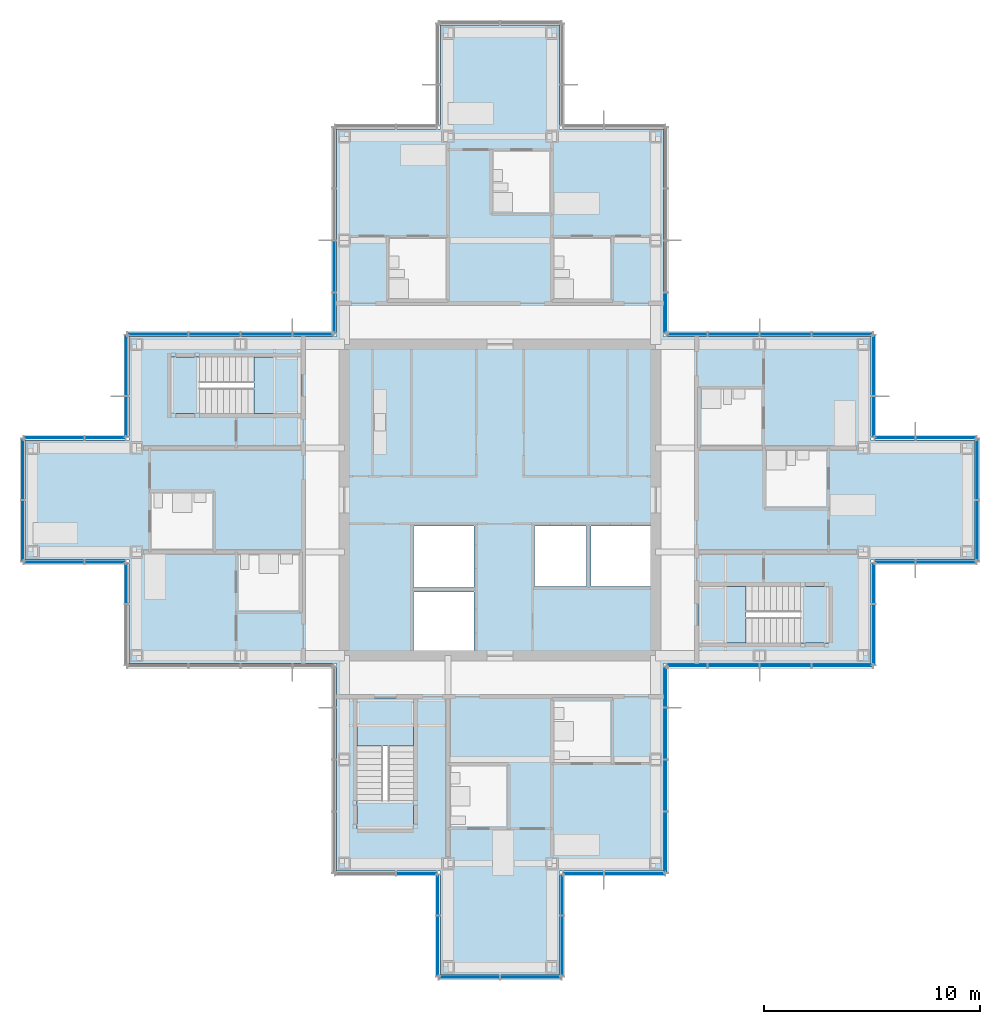
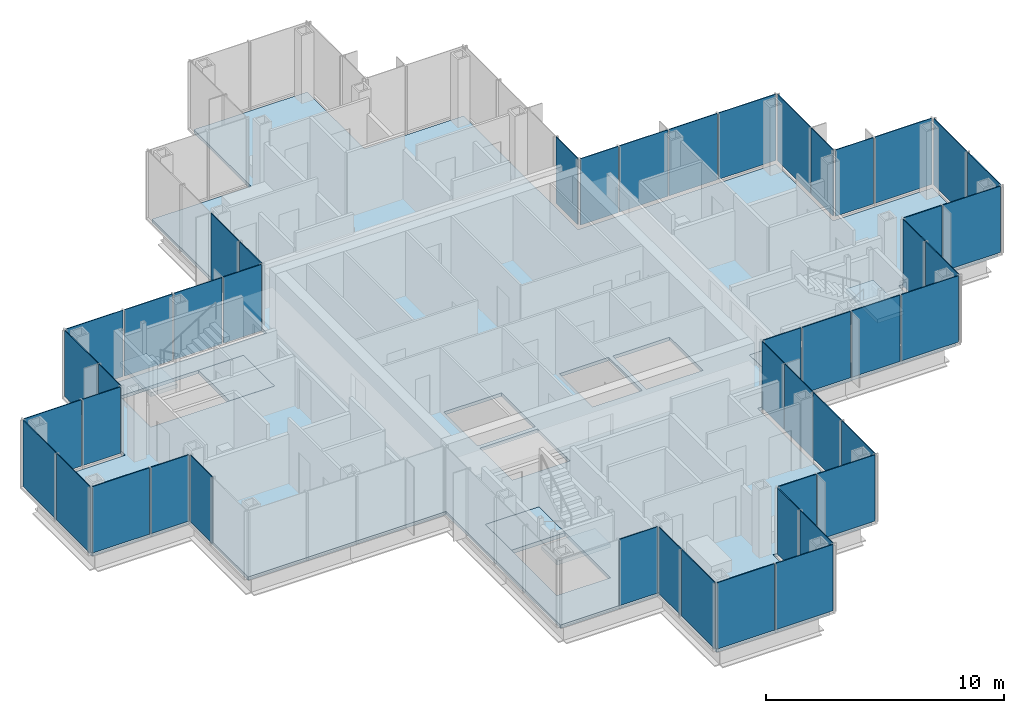
# One storey, part 10 of 17: 47 plates, 7 slabs, 24 elements without a shape of their own.
"""IFC4 building model written with IfcOpenShell, lengths in metres."""

from ifc_helpers import new_model, si_unit, direction, frame, origin, origin_2d, place, context, subcontext, project, spatial, polyline, rectangle, outline, extrude, material, layer, layer_set, type_object, element, aggregate, save


model = new_model("IFC4")

# Units and contexts
model_context = context("Model", 3, precision=1e-05, world=origin(), true_north=direction((0.0, 1.0)))
body_context = subcontext(model_context, "Body", "Model", "MODEL_VIEW")
ifc_project = project(units=[si_unit("LENGTHUNIT", "METRE"), si_unit("AREAUNIT", "SQUARE_METRE"), si_unit("VOLUMEUNIT", "CUBIC_METRE"), si_unit("PLANEANGLEUNIT", "RADIAN"), si_unit("MASSUNIT", "GRAM", prefix="KILO")], contexts=[model_context])

# Site, building, storey
site_placement = place(None, origin())
site = spatial("IfcSite", under=ifc_project, at=site_placement, CompositionType="ELEMENT")
building_placement = place(site_placement, origin())
building = spatial("IfcBuilding", under=site, at=building_placement, Name="Kvirike Care Tower", CompositionType="ELEMENT")
storey_placement = place(building_placement, frame((0.0, 0.0, 179.5)))
storey = spatial("IfcBuildingStorey", under=building, at=storey_placement, Name="L49", CompositionType="ELEMENT", Elevation=179.5)

# Slab
ifc_material_1 = material(Name="Concrete C35/45", Category="concrete")
ifc_layer_1 = layer(ifc_material_1, 0.169921875)
ifc_layer_set_1 = layer_set([ifc_layer_1], Name="FLOOR SLAB 170")
slab_type_1 = type_object("IfcSlabType", Name="FLOOR SLAB 170", PredefinedType="FLOOR", material=ifc_layer_set_1)
slab_1_placement = place(storey_placement, frame((0.0, 0.0, -0.169921875)))
element("IfcSlab", 1, at=slab_1_placement, inside=storey, type_object=slab_type_1, Name="Floor slab L49", PredefinedType="FLOOR", context=body_context, shape_type="SweptSolid", body=[
    extrude(outline(polyline([(29.14990234375, 28.449951171875), (38.75, 28.449951171875), (38.75, 33.25), (43.550048828125, 33.25), (43.550048828125, 38.75), (38.75, 38.75), (38.75, 43.550048828125), (29.14990234375, 43.550048828125), (29.14990234375, 53.14990234375), (24.35009765625, 53.14990234375), (24.35009765625, 57.949951171875), (18.85009765625, 57.949951171875), (18.85009765625, 53.14990234375), (14.050048828125, 53.14990234375), (14.050048828125, 43.550048828125), (4.449951171875, 43.550048828125), (4.449951171875, 38.75), (-0.35009765625, 38.75), (-0.35009765625, 33.25), (4.449951171875, 33.25), (4.449951171875, 28.449951171875), (14.050048828125, 28.449951171875), (14.050048828125, 18.85009765625), (18.85009765625, 18.85009765625), (18.85009765625, 14.050048828125), (24.35009765625, 14.050048828125), (24.35009765625, 18.85009765625), (29.14990234375, 18.85009765625), (29.14990234375, 28.449951171875)]), holes=[polyline([(17.60009765625, 29.050048828125), (17.60009765625, 31.75), (20.39990234375, 31.75), (20.39990234375, 29.050048828125), (17.60009765625, 29.050048828125)]), polyline([(17.60009765625, 31.949951171875), (17.60009765625, 34.800048828125), (20.39990234375, 34.800048828125), (20.39990234375, 31.949951171875), (17.60009765625, 31.949951171875)]), polyline([(23.199951171875, 32.0), (23.199951171875, 34.800048828125), (25.60009765625, 34.800048828125), (25.60009765625, 32.0), (23.199951171875, 32.0)]), polyline([(25.800048828125, 32.0), (25.800048828125, 34.800048828125), (28.550048828125, 34.800048828125), (28.550048828125, 32.0), (25.800048828125, 32.0)]), polyline([(12.39990234375, 42.60009765625), (12.39990234375, 40.0), (6.39990234375, 40.0), (6.39990234375, 42.60009765625), (12.39990234375, 42.60009765625)]), polyline([(30.800048828125, 29.39990234375), (30.800048828125, 32.0), (36.800048828125, 32.0), (36.800048828125, 29.39990234375), (30.800048828125, 29.39990234375)]), polyline([(15.0, 26.800048828125), (17.60009765625, 26.800048828125), (17.60009765625, 20.800048828125), (15.0, 20.800048828125), (15.0, 26.800048828125)])]), origin(), (0.0, 0.0, 1.0), 0.169921875),
])

# Stair, slabs
ifc_material_2 = material(Name="Concrete C35/45", Category="concrete")
stair_type = type_object("IfcStairType", Name="STAIR 20 RISERS", PredefinedType="HALF_TURN_STAIR", material=ifc_material_2)
stair_1_placement = place(storey_placement, origin())
stair_1 = element("IfcStair", 2, at=stair_1_placement, inside=storey, type_object=stair_type, Name="Stair 1 L49", PredefinedType="HALF_TURN_STAIR")
ifc_material_3 = material(Name="Concrete C35/45", Category="concrete")
ifc_layer_2 = layer(ifc_material_3, 0.199951171875)
ifc_layer_set_2 = layer_set([ifc_layer_2], Name="STAIR LANDING 200")
slab_type_2 = type_object("IfcSlabType", Name="STAIR LANDING 200", PredefinedType="LANDING", material=ifc_layer_set_2)
slab_2_placement = place(storey_placement, frame((0.0, 0.0, -0.199951171875)))
slab_2 = element("IfcSlab", 3, at=slab_2_placement, type_object=slab_type_2, Name="Stair S1 floor landing L49", PredefinedType="LANDING", context=body_context, shape_type="SweptSolid", body=[
    extrude(outline(polyline([(10.219970703125, 42.60009765625), (10.219970703125, 40.0), (12.39990234375, 40.0), (12.39990234375, 42.60009765625), (10.219970703125, 42.60009765625)])), origin(), (0.0, 0.0, 1.0), 0.199951171875),
])
slab_3_placement = place(storey_placement, frame((0.0, 0.0, 1.550048828125)))
slab_3 = element("IfcSlab", 4, at=slab_3_placement, type_object=slab_type_2, Name="Stair S1 half landing L49-L50", PredefinedType="LANDING", context=body_context, shape_type="SweptSolid", body=[
    extrude(outline(polyline([(6.39990234375, 42.60009765625), (6.39990234375, 40.0), (7.699951171875, 40.0), (7.699951171875, 42.60009765625), (6.39990234375, 42.60009765625)])), origin(), (0.0, 0.0, 1.0), 0.199951171875),
])
aggregate(stair_1, [slab_2, slab_3])

stair_2_placement = place(storey_placement, origin())
stair_2 = element("IfcStair", 5, at=stair_2_placement, inside=storey, type_object=stair_type, Name="Stair 2 L49", PredefinedType="HALF_TURN_STAIR")
slab_4_placement = place(storey_placement, frame((0.0, 0.0, -0.199951171875)))
slab_4 = element("IfcSlab", 6, at=slab_4_placement, type_object=slab_type_2, Name="Stair S2 floor landing L49", PredefinedType="LANDING", context=body_context, shape_type="SweptSolid", body=[
    extrude(outline(polyline([(32.97998046875, 29.39990234375), (32.97998046875, 32.0), (30.800048828125, 32.0), (30.800048828125, 29.39990234375), (32.97998046875, 29.39990234375)])), origin(), (0.0, 0.0, 1.0), 0.199951171875),
])
slab_5_placement = place(storey_placement, frame((0.0, 0.0, 1.550048828125)))
slab_5 = element("IfcSlab", 7, at=slab_5_placement, type_object=slab_type_2, Name="Stair S2 half landing L49-L50", PredefinedType="LANDING", context=body_context, shape_type="SweptSolid", body=[
    extrude(outline(polyline([(36.800048828125, 29.39990234375), (36.800048828125, 32.0), (35.5, 32.0), (35.5, 29.39990234375), (36.800048828125, 29.39990234375)])), origin(), (0.0, 0.0, 1.0), 0.199951171875),
])
aggregate(stair_2, [slab_4, slab_5])

stair_3_placement = place(storey_placement, origin())
stair_3 = element("IfcStair", 8, at=stair_3_placement, inside=storey, type_object=stair_type, Name="Stair 5 L49", PredefinedType="HALF_TURN_STAIR")
slab_6_placement = place(storey_placement, frame((0.0, 0.0, -0.199951171875)))
slab_6 = element("IfcSlab", 9, at=slab_6_placement, type_object=slab_type_2, Name="Stair S5 floor landing L49", PredefinedType="LANDING", context=body_context, shape_type="SweptSolid", body=[
    extrude(outline(polyline([(15.0, 24.6201171875), (17.60009765625, 24.6201171875), (17.60009765625, 26.800048828125), (15.0, 26.800048828125), (15.0, 24.6201171875)])), origin(), (0.0, 0.0, 1.0), 0.199951171875),
])
slab_7_placement = place(storey_placement, frame((0.0, 0.0, 1.550048828125)))
slab_7 = element("IfcSlab", 10, at=slab_7_placement, type_object=slab_type_2, Name="Stair S5 half landing L49-L50", PredefinedType="LANDING", context=body_context, shape_type="SweptSolid", body=[
    extrude(outline(polyline([(15.0, 20.800048828125), (17.60009765625, 20.800048828125), (17.60009765625, 22.10009765625), (15.0, 22.10009765625), (15.0, 20.800048828125)])), origin(), (0.0, 0.0, 1.0), 0.199951171875),
])
aggregate(stair_3, [slab_6, slab_7])

# Curtain wall, plates
ifc_material_4 = material(Name="Anodised aluminium stick system", Category="aluminium")
curtain_wall_type = type_object("IfcCurtainWallType", Name="CW-C STICK CURTAIN WALL", PredefinedType="NOTDEFINED", material=ifc_material_4)
curtain_wall_1_placement = place(storey_placement, origin())
curtain_wall_1 = element("IfcCurtainWall", 11, at=curtain_wall_1_placement, inside=storey, type_object=curtain_wall_type, Name="Curtain wall L49 face 1", PredefinedType="NOTDEFINED")
ifc_material_5 = material(Name="Tinted double glazed unit", Category="glass")
ifc_layer_3 = layer(ifc_material_5, 0.0400390625)
ifc_layer_set_3 = layer_set([ifc_layer_3], Name="TINTED VISION PANEL 40")
plate_type = type_object("IfcPlateType", Name="TINTED VISION PANEL 40", PredefinedType="CURTAIN_PANEL", material=ifc_layer_set_3)
plate_1_placement = place(storey_placement, frame((30.251220703125, 28.330078125, 0.10009765625), z_axis=(0.0, 0.0, 1.0), x_axis=(1.0, 0.0, 0.0)))
plate_1 = element("IfcPlate", 12, at=plate_1_placement, type_object=plate_type, Name="CW-C panel L49 face 1.1", PredefinedType="CURTAIN_PANEL", context=body_context, shape_type="SweptSolid", body=[
    extrude(rectangle(XDim=1.83251953125, YDim=0.0400390625, at=origin_2d()), origin(), (0.0, 0.0, 1.0), 3.39990234375),
])
plate_2_placement = place(storey_placement, frame((32.39990234375, 28.330078125, 0.10009765625), z_axis=(0.0, 0.0, 1.0), x_axis=(1.0, 0.0, 0.0)))
plate_2 = element("IfcPlate", 13, at=plate_2_placement, type_object=plate_type, Name="CW-C panel L49 face 1.2", PredefinedType="CURTAIN_PANEL", context=body_context, shape_type="SweptSolid", body=[
    extrude(rectangle(XDim=2.3349609375, YDim=0.0400390625, at=origin_2d()), origin(), (0.0, 0.0, 1.0), 3.39990234375),
])
plate_3_placement = place(storey_placement, frame((34.800048828125, 28.330078125, 0.10009765625), z_axis=(0.0, 0.0, 1.0), x_axis=(1.0, 0.0, 0.0)))
plate_3 = element("IfcPlate", 14, at=plate_3_placement, type_object=plate_type, Name="CW-C panel L49 face 1.3", PredefinedType="CURTAIN_PANEL", context=body_context, shape_type="SweptSolid", body=[
    extrude(rectangle(XDim=2.3349609375, YDim=0.0400390625, at=origin_2d()), origin(), (0.0, 0.0, 1.0), 3.39990234375),
])
plate_4_placement = place(storey_placement, frame((37.418701171875, 28.330078125, 0.10009765625), z_axis=(0.0, 0.0, 1.0), x_axis=(1.0, 0.0, 0.0)))
plate_4 = element("IfcPlate", 15, at=plate_4_placement, type_object=plate_type, Name="CW-C panel L49 face 1.4", PredefinedType="CURTAIN_PANEL", context=body_context, shape_type="SweptSolid", body=[
    extrude(rectangle(XDim=2.7724609375, YDim=0.0400390625, at=origin_2d()), origin(), (0.0, 0.0, 1.0), 3.39990234375),
])
aggregate(curtain_wall_1, [plate_1, plate_2, plate_3, plate_4])

curtain_wall_2_placement = place(storey_placement, origin())
curtain_wall_2 = element("IfcCurtainWall", 16, at=curtain_wall_2_placement, inside=storey, type_object=curtain_wall_type, Name="Curtain wall L49 face 2", PredefinedType="NOTDEFINED")
plate_5_placement = place(storey_placement, frame((38.8701171875, 29.78125, 0.10009765625), z_axis=(0.0, 0.0, 1.0), x_axis=(0.0, 1.0, 0.0)))
plate_5 = element("IfcPlate", 17, at=plate_5_placement, type_object=plate_type, Name="CW-C panel L49 face 2.1", PredefinedType="CURTAIN_PANEL", context=body_context, shape_type="SweptSolid", body=[
    extrude(rectangle(XDim=2.7724609375, YDim=0.0400390625, at=origin_2d()), origin(), (0.0, 0.0, 1.0), 3.39990234375),
])
plate_6_placement = place(storey_placement, frame((38.8701171875, 32.148681640625, 0.10009765625), z_axis=(0.0, 0.0, 1.0), x_axis=(0.0, 1.0, 0.0)))
plate_6 = element("IfcPlate", 18, at=plate_6_placement, type_object=plate_type, Name="CW-C panel L49 face 2.2", PredefinedType="CURTAIN_PANEL", context=body_context, shape_type="SweptSolid", body=[
    extrude(rectangle(XDim=1.83251953125, YDim=0.0400390625, at=origin_2d()), origin(), (0.0, 0.0, 1.0), 3.39990234375),
])
aggregate(curtain_wall_2, [plate_5, plate_6])

curtain_wall_3_placement = place(storey_placement, origin())
curtain_wall_3 = element("IfcCurtainWall", 19, at=curtain_wall_3_placement, inside=storey, type_object=curtain_wall_type, Name="Curtain wall L49 face 3", PredefinedType="NOTDEFINED")
plate_7_placement = place(storey_placement, frame((39.851318359375, 33.1298828125, 0.10009765625), z_axis=(0.0, 0.0, 1.0), x_axis=(1.0, 0.0, 0.0)))
plate_7 = element("IfcPlate", 20, at=plate_7_placement, type_object=plate_type, Name="CW-C panel L49 face 3.1", PredefinedType="CURTAIN_PANEL", context=body_context, shape_type="SweptSolid", body=[
    extrude(rectangle(XDim=1.83251953125, YDim=0.0400390625, at=origin_2d()), origin(), (0.0, 0.0, 1.0), 3.39990234375),
])
plate_8_placement = place(storey_placement, frame((42.21875, 33.1298828125, 0.10009765625), z_axis=(0.0, 0.0, 1.0), x_axis=(1.0, 0.0, 0.0)))
plate_8 = element("IfcPlate", 21, at=plate_8_placement, type_object=plate_type, Name="CW-C panel L49 face 3.2", PredefinedType="CURTAIN_PANEL", context=body_context, shape_type="SweptSolid", body=[
    extrude(rectangle(XDim=2.7724609375, YDim=0.0400390625, at=origin_2d()), origin(), (0.0, 0.0, 1.0), 3.39990234375),
])
aggregate(curtain_wall_3, [plate_7, plate_8])

curtain_wall_4_placement = place(storey_placement, origin())
curtain_wall_4 = element("IfcCurtainWall", 22, at=curtain_wall_4_placement, inside=storey, type_object=curtain_wall_type, Name="Curtain wall L49 face 4", PredefinedType="NOTDEFINED")
plate_9_placement = place(storey_placement, frame((43.669921875, 34.581298828125, 0.10009765625), z_axis=(0.0, 0.0, 1.0), x_axis=(0.0, 1.0, 0.0)))
plate_9 = element("IfcPlate", 23, at=plate_9_placement, type_object=plate_type, Name="CW-C panel L49 face 4.1", PredefinedType="CURTAIN_PANEL", context=body_context, shape_type="SweptSolid", body=[
    extrude(rectangle(XDim=2.7724609375, YDim=0.0400390625, at=origin_2d()), origin(), (0.0, 0.0, 1.0), 3.39990234375),
])
plate_10_placement = place(storey_placement, frame((43.669921875, 37.418701171875, 0.10009765625), z_axis=(0.0, 0.0, 1.0), x_axis=(0.0, 1.0, 0.0)))
plate_10 = element("IfcPlate", 24, at=plate_10_placement, type_object=plate_type, Name="CW-C panel L49 face 4.2", PredefinedType="CURTAIN_PANEL", context=body_context, shape_type="SweptSolid", body=[
    extrude(rectangle(XDim=2.7724609375, YDim=0.0400390625, at=origin_2d()), origin(), (0.0, 0.0, 1.0), 3.39990234375),
])
aggregate(curtain_wall_4, [plate_9, plate_10])

curtain_wall_5_placement = place(storey_placement, origin())
curtain_wall_5 = element("IfcCurtainWall", 25, at=curtain_wall_5_placement, inside=storey, type_object=curtain_wall_type, Name="Curtain wall L49 face 5", PredefinedType="NOTDEFINED")
plate_11_placement = place(storey_placement, frame((42.21875, 38.8701171875, 0.10009765625), z_axis=(0.0, 0.0, 1.0), x_axis=(-1.0, 0.0, 0.0)))
plate_11 = element("IfcPlate", 26, at=plate_11_placement, type_object=plate_type, Name="CW-C panel L49 face 5.1", PredefinedType="CURTAIN_PANEL", context=body_context, shape_type="SweptSolid", body=[
    extrude(rectangle(XDim=2.7724609375, YDim=0.0400390625, at=origin_2d()), origin(), (0.0, 0.0, 1.0), 3.39990234375),
])
plate_12_placement = place(storey_placement, frame((39.851318359375, 38.8701171875, 0.10009765625), z_axis=(0.0, 0.0, 1.0), x_axis=(-1.0, 0.0, 0.0)))
plate_12 = element("IfcPlate", 27, at=plate_12_placement, type_object=plate_type, Name="CW-C panel L49 face 5.2", PredefinedType="CURTAIN_PANEL", context=body_context, shape_type="SweptSolid", body=[
    extrude(rectangle(XDim=1.83251953125, YDim=0.0400390625, at=origin_2d()), origin(), (0.0, 0.0, 1.0), 3.39990234375),
])
aggregate(curtain_wall_5, [plate_11, plate_12])

curtain_wall_6_placement = place(storey_placement, origin())
curtain_wall_6 = element("IfcCurtainWall", 28, at=curtain_wall_6_placement, inside=storey, type_object=curtain_wall_type, Name="Curtain wall L49 face 6", PredefinedType="NOTDEFINED")
plate_13_placement = place(storey_placement, frame((38.8701171875, 39.851318359375, 0.10009765625), z_axis=(0.0, 0.0, 1.0), x_axis=(0.0, 1.0, 0.0)))
plate_13 = element("IfcPlate", 29, at=plate_13_placement, type_object=plate_type, Name="CW-C panel L49 face 6.1", PredefinedType="CURTAIN_PANEL", context=body_context, shape_type="SweptSolid", body=[
    extrude(rectangle(XDim=1.83251953125, YDim=0.0400390625, at=origin_2d()), origin(), (0.0, 0.0, 1.0), 3.39990234375),
])
plate_14_placement = place(storey_placement, frame((38.8701171875, 42.21875, 0.10009765625), z_axis=(0.0, 0.0, 1.0), x_axis=(0.0, 1.0, 0.0)))
plate_14 = element("IfcPlate", 30, at=plate_14_placement, type_object=plate_type, Name="CW-C panel L49 face 6.2", PredefinedType="CURTAIN_PANEL", context=body_context, shape_type="SweptSolid", body=[
    extrude(rectangle(XDim=2.7724609375, YDim=0.0400390625, at=origin_2d()), origin(), (0.0, 0.0, 1.0), 3.39990234375),
])
aggregate(curtain_wall_6, [plate_13, plate_14])

curtain_wall_7_placement = place(storey_placement, origin())
curtain_wall_7 = element("IfcCurtainWall", 31, at=curtain_wall_7_placement, inside=storey, type_object=curtain_wall_type, Name="Curtain wall L49 face 7", PredefinedType="NOTDEFINED")
plate_15_placement = place(storey_placement, frame((37.418701171875, 43.669921875, 0.10009765625), z_axis=(0.0, 0.0, 1.0), x_axis=(-1.0, 0.0, 0.0)))
plate_15 = element("IfcPlate", 32, at=plate_15_placement, type_object=plate_type, Name="CW-C panel L49 face 7.1", PredefinedType="CURTAIN_PANEL", context=body_context, shape_type="SweptSolid", body=[
    extrude(rectangle(XDim=2.7724609375, YDim=0.0400390625, at=origin_2d()), origin(), (0.0, 0.0, 1.0), 3.39990234375),
])
plate_16_placement = place(storey_placement, frame((34.800048828125, 43.669921875, 0.10009765625), z_axis=(0.0, 0.0, 1.0), x_axis=(-1.0, 0.0, 0.0)))
plate_16 = element("IfcPlate", 33, at=plate_16_placement, type_object=plate_type, Name="CW-C panel L49 face 7.2", PredefinedType="CURTAIN_PANEL", context=body_context, shape_type="SweptSolid", body=[
    extrude(rectangle(XDim=2.3349609375, YDim=0.0400390625, at=origin_2d()), origin(), (0.0, 0.0, 1.0), 3.39990234375),
])
plate_17_placement = place(storey_placement, frame((32.39990234375, 43.669921875, 0.10009765625), z_axis=(0.0, 0.0, 1.0), x_axis=(-1.0, 0.0, 0.0)))
plate_17 = element("IfcPlate", 34, at=plate_17_placement, type_object=plate_type, Name="CW-C panel L49 face 7.3", PredefinedType="CURTAIN_PANEL", context=body_context, shape_type="SweptSolid", body=[
    extrude(rectangle(XDim=2.3349609375, YDim=0.0400390625, at=origin_2d()), origin(), (0.0, 0.0, 1.0), 3.39990234375),
])
plate_18_placement = place(storey_placement, frame((30.251220703125, 43.669921875, 0.10009765625), z_axis=(0.0, 0.0, 1.0), x_axis=(-1.0, 0.0, 0.0)))
plate_18 = element("IfcPlate", 35, at=plate_18_placement, type_object=plate_type, Name="CW-C panel L49 face 7.4", PredefinedType="CURTAIN_PANEL", context=body_context, shape_type="SweptSolid", body=[
    extrude(rectangle(XDim=1.83251953125, YDim=0.0400390625, at=origin_2d()), origin(), (0.0, 0.0, 1.0), 3.39990234375),
])
aggregate(curtain_wall_7, [plate_15, plate_16, plate_17, plate_18])

# Curtain wall, plate
curtain_wall_8_placement = place(storey_placement, origin())
curtain_wall_8 = element("IfcCurtainWall", 36, at=curtain_wall_8_placement, inside=storey, type_object=curtain_wall_type, Name="Curtain wall L49 face 8", PredefinedType="NOTDEFINED")
plate_19_placement = place(storey_placement, frame((29.27001953125, 44.6513671875, 0.10009765625), z_axis=(0.0, 0.0, 1.0), x_axis=(0.0, 1.0, 0.0)))
plate_19 = element("IfcPlate", 37, at=plate_19_placement, type_object=plate_type, Name="CW-C panel L49 face 8.1", PredefinedType="CURTAIN_PANEL", context=body_context, shape_type="SweptSolid", body=[
    extrude(rectangle(XDim=1.83251953125, YDim=0.0400390625, at=origin_2d()), origin(), (0.0, 0.0, 1.0), 3.39990234375),
])
aggregate(curtain_wall_8, [plate_19])

# Curtain wall, plates
curtain_wall_9_placement = place(storey_placement, origin())
curtain_wall_9 = element("IfcCurtainWall", 38, at=curtain_wall_9_placement, inside=storey, type_object=curtain_wall_type, Name="Curtain wall L49 face 14", PredefinedType="NOTDEFINED")
plate_20_placement = place(storey_placement, frame((13.929931640625, 46.800048828125, 0.10009765625), z_axis=(0.0, 0.0, 1.0), x_axis=(0.0, -1.0, 0.0)))
plate_20 = element("IfcPlate", 39, at=plate_20_placement, type_object=plate_type, Name="CW-C panel L49 face 14.3", PredefinedType="CURTAIN_PANEL", context=body_context, shape_type="SweptSolid", body=[
    extrude(rectangle(XDim=2.3349609375, YDim=0.0400390625, at=origin_2d()), origin(), (0.0, 0.0, 1.0), 3.39990234375),
])
plate_21_placement = place(storey_placement, frame((13.929931640625, 44.6513671875, 0.10009765625), z_axis=(0.0, 0.0, 1.0), x_axis=(0.0, -1.0, 0.0)))
plate_21 = element("IfcPlate", 40, at=plate_21_placement, type_object=plate_type, Name="CW-C panel L49 face 14.4", PredefinedType="CURTAIN_PANEL", context=body_context, shape_type="SweptSolid", body=[
    extrude(rectangle(XDim=1.83251953125, YDim=0.0400390625, at=origin_2d()), origin(), (0.0, 0.0, 1.0), 3.39990234375),
])
aggregate(curtain_wall_9, [plate_20, plate_21])

curtain_wall_10_placement = place(storey_placement, origin())
curtain_wall_10 = element("IfcCurtainWall", 41, at=curtain_wall_10_placement, inside=storey, type_object=curtain_wall_type, Name="Curtain wall L49 face 15", PredefinedType="NOTDEFINED")
plate_22_placement = place(storey_placement, frame((12.94873046875, 43.669921875, 0.10009765625), z_axis=(0.0, 0.0, 1.0), x_axis=(-1.0, 0.0, 0.0)))
plate_22 = element("IfcPlate", 42, at=plate_22_placement, type_object=plate_type, Name="CW-C panel L49 face 15.1", PredefinedType="CURTAIN_PANEL", context=body_context, shape_type="SweptSolid", body=[
    extrude(rectangle(XDim=1.83251953125, YDim=0.0400390625, at=origin_2d()), origin(), (0.0, 0.0, 1.0), 3.39990234375),
])
plate_23_placement = place(storey_placement, frame((10.800048828125, 43.669921875, 0.10009765625), z_axis=(0.0, 0.0, 1.0), x_axis=(-1.0, 0.0, 0.0)))
plate_23 = element("IfcPlate", 43, at=plate_23_placement, type_object=plate_type, Name="CW-C panel L49 face 15.2", PredefinedType="CURTAIN_PANEL", context=body_context, shape_type="SweptSolid", body=[
    extrude(rectangle(XDim=2.3349609375, YDim=0.0400390625, at=origin_2d()), origin(), (0.0, 0.0, 1.0), 3.39990234375),
])
plate_24_placement = place(storey_placement, frame((8.39990234375, 43.669921875, 0.10009765625), z_axis=(0.0, 0.0, 1.0), x_axis=(-1.0, 0.0, 0.0)))
plate_24 = element("IfcPlate", 44, at=plate_24_placement, type_object=plate_type, Name="CW-C panel L49 face 15.3", PredefinedType="CURTAIN_PANEL", context=body_context, shape_type="SweptSolid", body=[
    extrude(rectangle(XDim=2.3349609375, YDim=0.0400390625, at=origin_2d()), origin(), (0.0, 0.0, 1.0), 3.39990234375),
])
plate_25_placement = place(storey_placement, frame((5.78125, 43.669921875, 0.10009765625), z_axis=(0.0, 0.0, 1.0), x_axis=(-1.0, 0.0, 0.0)))
plate_25 = element("IfcPlate", 45, at=plate_25_placement, type_object=plate_type, Name="CW-C panel L49 face 15.4", PredefinedType="CURTAIN_PANEL", context=body_context, shape_type="SweptSolid", body=[
    extrude(rectangle(XDim=2.7724609375, YDim=0.0400390625, at=origin_2d()), origin(), (0.0, 0.0, 1.0), 3.39990234375),
])
aggregate(curtain_wall_10, [plate_22, plate_23, plate_24, plate_25])

curtain_wall_11_placement = place(storey_placement, origin())
curtain_wall_11 = element("IfcCurtainWall", 46, at=curtain_wall_11_placement, inside=storey, type_object=curtain_wall_type, Name="Curtain wall L49 face 16", PredefinedType="NOTDEFINED")
plate_26_placement = place(storey_placement, frame((4.330078125, 42.21875, 0.10009765625), z_axis=(0.0, 0.0, 1.0), x_axis=(0.0, -1.0, 0.0)))
plate_26 = element("IfcPlate", 47, at=plate_26_placement, type_object=plate_type, Name="CW-C panel L49 face 16.1", PredefinedType="CURTAIN_PANEL", context=body_context, shape_type="SweptSolid", body=[
    extrude(rectangle(XDim=2.7724609375, YDim=0.0400390625, at=origin_2d()), origin(), (0.0, 0.0, 1.0), 3.39990234375),
])
plate_27_placement = place(storey_placement, frame((4.330078125, 39.851318359375, 0.10009765625), z_axis=(0.0, 0.0, 1.0), x_axis=(0.0, -1.0, 0.0)))
plate_27 = element("IfcPlate", 48, at=plate_27_placement, type_object=plate_type, Name="CW-C panel L49 face 16.2", PredefinedType="CURTAIN_PANEL", context=body_context, shape_type="SweptSolid", body=[
    extrude(rectangle(XDim=1.83251953125, YDim=0.0400390625, at=origin_2d()), origin(), (0.0, 0.0, 1.0), 3.39990234375),
])
aggregate(curtain_wall_11, [plate_26, plate_27])

curtain_wall_12_placement = place(storey_placement, origin())
curtain_wall_12 = element("IfcCurtainWall", 49, at=curtain_wall_12_placement, inside=storey, type_object=curtain_wall_type, Name="Curtain wall L49 face 17", PredefinedType="NOTDEFINED")
plate_28_placement = place(storey_placement, frame((3.3486328125, 38.8701171875, 0.10009765625), z_axis=(0.0, 0.0, 1.0), x_axis=(-1.0, 0.0, 0.0)))
plate_28 = element("IfcPlate", 50, at=plate_28_placement, type_object=plate_type, Name="CW-C panel L49 face 17.1", PredefinedType="CURTAIN_PANEL", context=body_context, shape_type="SweptSolid", body=[
    extrude(rectangle(XDim=1.83251953125, YDim=0.0400390625, at=origin_2d()), origin(), (0.0, 0.0, 1.0), 3.39990234375),
])
plate_29_placement = place(storey_placement, frame((0.981201171875, 38.8701171875, 0.10009765625), z_axis=(0.0, 0.0, 1.0), x_axis=(-1.0, 0.0, 0.0)))
plate_29 = element("IfcPlate", 51, at=plate_29_placement, type_object=plate_type, Name="CW-C panel L49 face 17.2", PredefinedType="CURTAIN_PANEL", context=body_context, shape_type="SweptSolid", body=[
    extrude(rectangle(XDim=2.7724609375, YDim=0.0400390625, at=origin_2d()), origin(), (0.0, 0.0, 1.0), 3.39990234375),
])
aggregate(curtain_wall_12, [plate_28, plate_29])

curtain_wall_13_placement = place(storey_placement, origin())
curtain_wall_13 = element("IfcCurtainWall", 52, at=curtain_wall_13_placement, inside=storey, type_object=curtain_wall_type, Name="Curtain wall L49 face 18", PredefinedType="NOTDEFINED")
plate_30_placement = place(storey_placement, frame((-0.469970703125, 37.418701171875, 0.10009765625), z_axis=(0.0, 0.0, 1.0), x_axis=(0.0, -1.0, 0.0)))
plate_30 = element("IfcPlate", 53, at=plate_30_placement, type_object=plate_type, Name="CW-C panel L49 face 18.1", PredefinedType="CURTAIN_PANEL", context=body_context, shape_type="SweptSolid", body=[
    extrude(rectangle(XDim=2.7724609375, YDim=0.0400390625, at=origin_2d()), origin(), (0.0, 0.0, 1.0), 3.39990234375),
])
plate_31_placement = place(storey_placement, frame((-0.469970703125, 34.581298828125, 0.10009765625), z_axis=(0.0, 0.0, 1.0), x_axis=(0.0, -1.0, 0.0)))
plate_31 = element("IfcPlate", 54, at=plate_31_placement, type_object=plate_type, Name="CW-C panel L49 face 18.2", PredefinedType="CURTAIN_PANEL", context=body_context, shape_type="SweptSolid", body=[
    extrude(rectangle(XDim=2.7724609375, YDim=0.0400390625, at=origin_2d()), origin(), (0.0, 0.0, 1.0), 3.39990234375),
])
aggregate(curtain_wall_13, [plate_30, plate_31])

curtain_wall_14_placement = place(storey_placement, origin())
curtain_wall_14 = element("IfcCurtainWall", 55, at=curtain_wall_14_placement, inside=storey, type_object=curtain_wall_type, Name="Curtain wall L49 face 19", PredefinedType="NOTDEFINED")
plate_32_placement = place(storey_placement, frame((0.981201171875, 33.1298828125, 0.10009765625), z_axis=(0.0, 0.0, 1.0), x_axis=(1.0, 0.0, 0.0)))
plate_32 = element("IfcPlate", 56, at=plate_32_placement, type_object=plate_type, Name="CW-C panel L49 face 19.1", PredefinedType="CURTAIN_PANEL", context=body_context, shape_type="SweptSolid", body=[
    extrude(rectangle(XDim=2.7724609375, YDim=0.0400390625, at=origin_2d()), origin(), (0.0, 0.0, 1.0), 3.39990234375),
])
plate_33_placement = place(storey_placement, frame((3.3486328125, 33.1298828125, 0.10009765625), z_axis=(0.0, 0.0, 1.0), x_axis=(1.0, 0.0, 0.0)))
plate_33 = element("IfcPlate", 57, at=plate_33_placement, type_object=plate_type, Name="CW-C panel L49 face 19.2", PredefinedType="CURTAIN_PANEL", context=body_context, shape_type="SweptSolid", body=[
    extrude(rectangle(XDim=1.83251953125, YDim=0.0400390625, at=origin_2d()), origin(), (0.0, 0.0, 1.0), 3.39990234375),
])
aggregate(curtain_wall_14, [plate_32, plate_33])

# Curtain wall, plate
curtain_wall_15_placement = place(storey_placement, origin())
curtain_wall_15 = element("IfcCurtainWall", 58, at=curtain_wall_15_placement, inside=storey, type_object=curtain_wall_type, Name="Curtain wall L49 face 20", PredefinedType="NOTDEFINED")
plate_34_placement = place(storey_placement, frame((4.330078125, 32.148681640625, 0.10009765625), z_axis=(0.0, 0.0, 1.0), x_axis=(0.0, -1.0, 0.0)))
plate_34 = element("IfcPlate", 59, at=plate_34_placement, type_object=plate_type, Name="CW-C panel L49 face 20.1", PredefinedType="CURTAIN_PANEL", context=body_context, shape_type="SweptSolid", body=[
    extrude(rectangle(XDim=1.83251953125, YDim=0.0400390625, at=origin_2d()), origin(), (0.0, 0.0, 1.0), 3.39990234375),
])
aggregate(curtain_wall_15, [plate_34])

curtain_wall_16_placement = place(storey_placement, origin())
curtain_wall_16 = element("IfcCurtainWall", 60, at=curtain_wall_16_placement, inside=storey, type_object=curtain_wall_type, Name="Curtain wall L49 face 23", PredefinedType="NOTDEFINED")
plate_35_placement = place(storey_placement, frame((17.748779296875, 18.72998046875, 0.10009765625), z_axis=(0.0, 0.0, 1.0), x_axis=(1.0, 0.0, 0.0)))
plate_35 = element("IfcPlate", 61, at=plate_35_placement, type_object=plate_type, Name="CW-C panel L49 face 23.2", PredefinedType="CURTAIN_PANEL", context=body_context, shape_type="SweptSolid", body=[
    extrude(rectangle(XDim=1.83251953125, YDim=0.0400390625, at=origin_2d()), origin(), (0.0, 0.0, 1.0), 3.39990234375),
])
aggregate(curtain_wall_16, [plate_35])

# Curtain wall, plates
curtain_wall_17_placement = place(storey_placement, origin())
curtain_wall_17 = element("IfcCurtainWall", 62, at=curtain_wall_17_placement, inside=storey, type_object=curtain_wall_type, Name="Curtain wall L49 face 24", PredefinedType="NOTDEFINED")
plate_36_placement = place(storey_placement, frame((18.72998046875, 17.748779296875, 0.10009765625), z_axis=(0.0, 0.0, 1.0), x_axis=(0.0, -1.0, 0.0)))
plate_36 = element("IfcPlate", 63, at=plate_36_placement, type_object=plate_type, Name="CW-C panel L49 face 24.1", PredefinedType="CURTAIN_PANEL", context=body_context, shape_type="SweptSolid", body=[
    extrude(rectangle(XDim=1.83251953125, YDim=0.0400390625, at=origin_2d()), origin(), (0.0, 0.0, 1.0), 3.39990234375),
])
plate_37_placement = place(storey_placement, frame((18.72998046875, 15.38134765625, 0.10009765625), z_axis=(0.0, 0.0, 1.0), x_axis=(0.0, -1.0, 0.0)))
plate_37 = element("IfcPlate", 64, at=plate_37_placement, type_object=plate_type, Name="CW-C panel L49 face 24.2", PredefinedType="CURTAIN_PANEL", context=body_context, shape_type="SweptSolid", body=[
    extrude(rectangle(XDim=2.7724609375, YDim=0.0400390625, at=origin_2d()), origin(), (0.0, 0.0, 1.0), 3.39990234375),
])
aggregate(curtain_wall_17, [plate_36, plate_37])

curtain_wall_18_placement = place(storey_placement, origin())
curtain_wall_18 = element("IfcCurtainWall", 65, at=curtain_wall_18_placement, inside=storey, type_object=curtain_wall_type, Name="Curtain wall L49 face 25", PredefinedType="NOTDEFINED")
plate_38_placement = place(storey_placement, frame((20.18115234375, 13.929931640625, 0.10009765625), z_axis=(0.0, 0.0, 1.0), x_axis=(1.0, 0.0, 0.0)))
plate_38 = element("IfcPlate", 66, at=plate_38_placement, type_object=plate_type, Name="CW-C panel L49 face 25.1", PredefinedType="CURTAIN_PANEL", context=body_context, shape_type="SweptSolid", body=[
    extrude(rectangle(XDim=2.7724609375, YDim=0.0400390625, at=origin_2d()), origin(), (0.0, 0.0, 1.0), 3.39990234375),
])
plate_39_placement = place(storey_placement, frame((23.018798828125, 13.929931640625, 0.10009765625), z_axis=(0.0, 0.0, 1.0), x_axis=(1.0, 0.0, 0.0)))
plate_39 = element("IfcPlate", 67, at=plate_39_placement, type_object=plate_type, Name="CW-C panel L49 face 25.2", PredefinedType="CURTAIN_PANEL", context=body_context, shape_type="SweptSolid", body=[
    extrude(rectangle(XDim=2.7724609375, YDim=0.0400390625, at=origin_2d()), origin(), (0.0, 0.0, 1.0), 3.39990234375),
])
aggregate(curtain_wall_18, [plate_38, plate_39])

curtain_wall_19_placement = place(storey_placement, origin())
curtain_wall_19 = element("IfcCurtainWall", 68, at=curtain_wall_19_placement, inside=storey, type_object=curtain_wall_type, Name="Curtain wall L49 face 26", PredefinedType="NOTDEFINED")
plate_40_placement = place(storey_placement, frame((24.469970703125, 15.38134765625, 0.10009765625), z_axis=(0.0, 0.0, 1.0), x_axis=(0.0, 1.0, 0.0)))
plate_40 = element("IfcPlate", 69, at=plate_40_placement, type_object=plate_type, Name="CW-C panel L49 face 26.1", PredefinedType="CURTAIN_PANEL", context=body_context, shape_type="SweptSolid", body=[
    extrude(rectangle(XDim=2.7724609375, YDim=0.0400390625, at=origin_2d()), origin(), (0.0, 0.0, 1.0), 3.39990234375),
])
plate_41_placement = place(storey_placement, frame((24.469970703125, 17.748779296875, 0.10009765625), z_axis=(0.0, 0.0, 1.0), x_axis=(0.0, 1.0, 0.0)))
plate_41 = element("IfcPlate", 70, at=plate_41_placement, type_object=plate_type, Name="CW-C panel L49 face 26.2", PredefinedType="CURTAIN_PANEL", context=body_context, shape_type="SweptSolid", body=[
    extrude(rectangle(XDim=1.83251953125, YDim=0.0400390625, at=origin_2d()), origin(), (0.0, 0.0, 1.0), 3.39990234375),
])
aggregate(curtain_wall_19, [plate_40, plate_41])

curtain_wall_20_placement = place(storey_placement, origin())
curtain_wall_20 = element("IfcCurtainWall", 71, at=curtain_wall_20_placement, inside=storey, type_object=curtain_wall_type, Name="Curtain wall L49 face 27", PredefinedType="NOTDEFINED")
plate_42_placement = place(storey_placement, frame((25.451171875, 18.72998046875, 0.10009765625), z_axis=(0.0, 0.0, 1.0), x_axis=(1.0, 0.0, 0.0)))
plate_42 = element("IfcPlate", 72, at=plate_42_placement, type_object=plate_type, Name="CW-C panel L49 face 27.1", PredefinedType="CURTAIN_PANEL", context=body_context, shape_type="SweptSolid", body=[
    extrude(rectangle(XDim=1.83251953125, YDim=0.0400390625, at=origin_2d()), origin(), (0.0, 0.0, 1.0), 3.39990234375),
])
plate_43_placement = place(storey_placement, frame((27.81884765625, 18.72998046875, 0.10009765625), z_axis=(0.0, 0.0, 1.0), x_axis=(1.0, 0.0, 0.0)))
plate_43 = element("IfcPlate", 73, at=plate_43_placement, type_object=plate_type, Name="CW-C panel L49 face 27.2", PredefinedType="CURTAIN_PANEL", context=body_context, shape_type="SweptSolid", body=[
    extrude(rectangle(XDim=2.7724609375, YDim=0.0400390625, at=origin_2d()), origin(), (0.0, 0.0, 1.0), 3.39990234375),
])
aggregate(curtain_wall_20, [plate_42, plate_43])

curtain_wall_21_placement = place(storey_placement, origin())
curtain_wall_21 = element("IfcCurtainWall", 74, at=curtain_wall_21_placement, inside=storey, type_object=curtain_wall_type, Name="Curtain wall L49 face 28", PredefinedType="NOTDEFINED")
plate_44_placement = place(storey_placement, frame((29.27001953125, 20.18115234375, 0.10009765625), z_axis=(0.0, 0.0, 1.0), x_axis=(0.0, 1.0, 0.0)))
plate_44 = element("IfcPlate", 75, at=plate_44_placement, type_object=plate_type, Name="CW-C panel L49 face 28.1", PredefinedType="CURTAIN_PANEL", context=body_context, shape_type="SweptSolid", body=[
    extrude(rectangle(XDim=2.7724609375, YDim=0.0400390625, at=origin_2d()), origin(), (0.0, 0.0, 1.0), 3.39990234375),
])
plate_45_placement = place(storey_placement, frame((29.27001953125, 22.800048828125, 0.10009765625), z_axis=(0.0, 0.0, 1.0), x_axis=(0.0, 1.0, 0.0)))
plate_45 = element("IfcPlate", 76, at=plate_45_placement, type_object=plate_type, Name="CW-C panel L49 face 28.2", PredefinedType="CURTAIN_PANEL", context=body_context, shape_type="SweptSolid", body=[
    extrude(rectangle(XDim=2.3349609375, YDim=0.0400390625, at=origin_2d()), origin(), (0.0, 0.0, 1.0), 3.39990234375),
])
plate_46_placement = place(storey_placement, frame((29.27001953125, 25.199951171875, 0.10009765625), z_axis=(0.0, 0.0, 1.0), x_axis=(0.0, 1.0, 0.0)))
plate_46 = element("IfcPlate", 77, at=plate_46_placement, type_object=plate_type, Name="CW-C panel L49 face 28.3", PredefinedType="CURTAIN_PANEL", context=body_context, shape_type="SweptSolid", body=[
    extrude(rectangle(XDim=2.3349609375, YDim=0.0400390625, at=origin_2d()), origin(), (0.0, 0.0, 1.0), 3.39990234375),
])
plate_47_placement = place(storey_placement, frame((29.27001953125, 27.3486328125, 0.10009765625), z_axis=(0.0, 0.0, 1.0), x_axis=(0.0, 1.0, 0.0)))
plate_47 = element("IfcPlate", 78, at=plate_47_placement, type_object=plate_type, Name="CW-C panel L49 face 28.4", PredefinedType="CURTAIN_PANEL", context=body_context, shape_type="SweptSolid", body=[
    extrude(rectangle(XDim=1.83251953125, YDim=0.0400390625, at=origin_2d()), origin(), (0.0, 0.0, 1.0), 3.39990234375),
])
aggregate(curtain_wall_21, [plate_44, plate_45, plate_46, plate_47])

save(model, "model.ifc")
